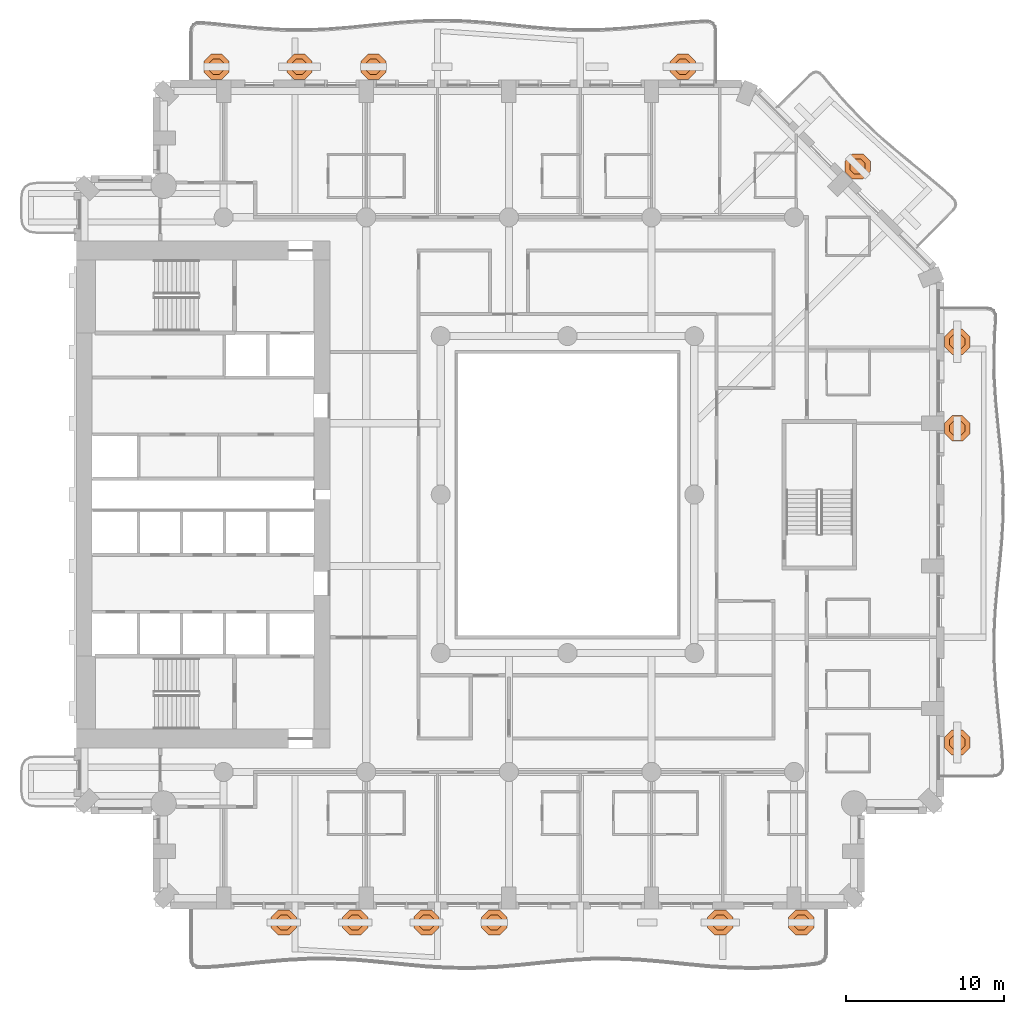
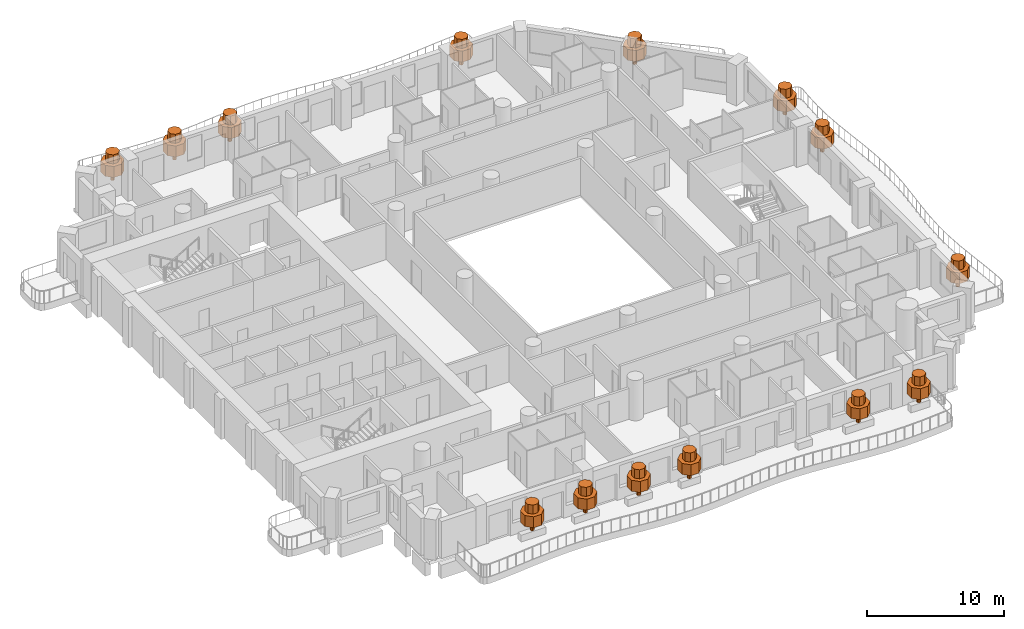
# One storey, part 20 of 20: 14 geographic elements.
"""IFC4 building model written with IfcOpenShell, lengths in metres."""

from ifc_helpers import new_model, si_unit, direction, frame, origin, place, context, subcontext, project, spatial, polyline, outline, extrude, material, type_object, element, save


model = new_model("IFC4")

# Units and contexts
model_context = context("Model", 3, precision=1e-05, world=origin(), true_north=direction((0.0, 1.0)))
body_context = subcontext(model_context, "Body", "Model", "MODEL_VIEW")
ifc_project = project(units=[si_unit("LENGTHUNIT", "METRE"), si_unit("AREAUNIT", "SQUARE_METRE"), si_unit("VOLUMEUNIT", "CUBIC_METRE"), si_unit("PLANEANGLEUNIT", "RADIAN"), si_unit("MASSUNIT", "GRAM", prefix="KILO")], contexts=[model_context])

# Site, building, storey
site_placement = place(None, origin())
site = spatial("IfcSite", under=ifc_project, at=site_placement, CompositionType="ELEMENT")
building_placement = place(site_placement, origin())
building = spatial("IfcBuilding", under=site, at=building_placement, Name="Cypress Arch Tower", CompositionType="ELEMENT")
storey_placement = place(building_placement, frame((0.0, 0.0, 55.5)))
storey = spatial("IfcBuildingStorey", under=building, at=storey_placement, Name="L07", CompositionType="ELEMENT", Elevation=55.5)

# Geographic elements
ifc_material = material(Name="Foliage and planting")
geographic_element_type = type_object("IfcGeographicElementType", Name="Balcony tree TR", PredefinedType="USERDEFINED", material=ifc_material)
for number, where, z_axis, x_axis, name in (
    (1, (-16.89990234375, -27.0, 0.60009765625), (0.0, 0.0, 1.0), (1.0, 0.0, 0.0), "Balcony tree L07-A03.1"),
    (2, (-12.39990234375, -27.0, 0.60009765625), (0.0, 0.0, 1.0), (1.0, 0.0, 0.0), "Balcony tree L07-A03.2"),
    (3, (-7.89990234375, -27.0, 0.60009765625), (0.0, 0.0, 1.0), (1.0, 0.0, 0.0), "Balcony tree L07-A03.3"),
    (4, (-3.625, -27.0, 0.60009765625), (0.0, 0.0, 1.0), (1.0, 0.0, 0.0), "Balcony tree L07-A03.4"),
    (5, (10.639892578125, -27.0, 0.60009765625), (0.0, 0.0, 1.0), (1.0, 0.0, 0.0), "Balcony tree L07-A03.6"),
    (6, (15.75, -27.0, 0.60009765625), (0.0, 0.0, 1.0), (1.0, 0.0, 0.0), "Balcony tree L07-A03.7"),
    (7, (25.60009765625, -15.642822265625, 0.60009765625), (0.0, 0.0, 1.0), (1.0, 0.0, 0.0), "Balcony tree L07-A06.1"),
    (8, (25.60009765625, 4.1826171875, 0.60009765625), (0.0, 0.0, 1.0), (1.0, 0.0, 0.0), "Balcony tree L07-A06.2"),
    (9, (25.60009765625, 9.642822265625, 0.60009765625), (0.0, 0.0, 1.0), (1.0, 0.0, 0.0), "Balcony tree L07-A06.3"),
    (10, (19.30712890625, 20.70703125, 0.60009765625), (0.0, 0.0, 1.0), (1.0, 0.0, 0.0), "Balcony tree L07-A07.2"),
    (11, (8.28125, 27.0, 0.60009765625), (0.0, 0.0, 1.0), (1.0, 0.0, 0.0), "Balcony tree L07-A08.1"),
    (12, (-11.24365234375, 27.0, 0.60009765625), (0.0, 0.0, 1.0), (1.0, 0.0, 0.0), "Balcony tree L07-A08.4"),
    (13, (-15.91259765625, 27.0, 0.60009765625), (0.0, 0.0, 1.0), (1.0, 0.0, 0.0), "Balcony tree L07-A08.5"),
    (14, (-21.14990234375, 27.0, 0.60009765625), (0.0, 0.0, 1.0), (1.0, 0.0, 0.0), "Balcony tree L07-A08.6"),
):
    element("IfcGeographicElement", number, at=place(storey_placement, frame(where, z_axis=z_axis, x_axis=x_axis)), inside=storey, type_object=geographic_element_type, Name=name, ObjectType="TREE", PredefinedType="USERDEFINED", context=body_context, shape_type="SweptSolid", body=[
        extrude(outline(polyline([(0.14990234375, 0.06201171875), (0.06201171875, 0.14990234375), (-0.06201171875, 0.14990234375), (-0.14990234375, 0.06201171875), (-0.14990234375, -0.06201171875), (-0.06201171875, -0.14990234375), (0.06201171875, -0.14990234375), (0.14990234375, -0.06201171875), (0.14990234375, 0.06201171875)])), origin(), (0.0, 0.0, 1.0), 0.864990234375),
        extrude(outline(polyline([(0.800048828125, 0.331298828125), (0.331298828125, 0.800048828125), (-0.331298828125, 0.800048828125), (-0.800048828125, 0.331298828125), (-0.800048828125, -0.331298828125), (-0.331298828125, -0.800048828125), (0.331298828125, -0.800048828125), (0.800048828125, -0.331298828125), (0.800048828125, 0.331298828125)])), frame((0.0, 0.0, 0.764892578125)), (0.0, 0.0, 1.0), 0.981689453125),
        extrude(outline(polyline([(0.47998046875, 0.19873046875), (0.19873046875, 0.47998046875), (-0.19873046875, 0.47998046875), (-0.47998046875, 0.19873046875), (-0.47998046875, -0.19873046875), (-0.19873046875, -0.47998046875), (0.19873046875, -0.47998046875), (0.47998046875, -0.19873046875), (0.47998046875, 0.19873046875)])), frame((0.0, 0.0, 1.746826171875)), (0.0, 0.0, 1.0), 0.80322265625),
    ])

save(model, "model.ifc")
